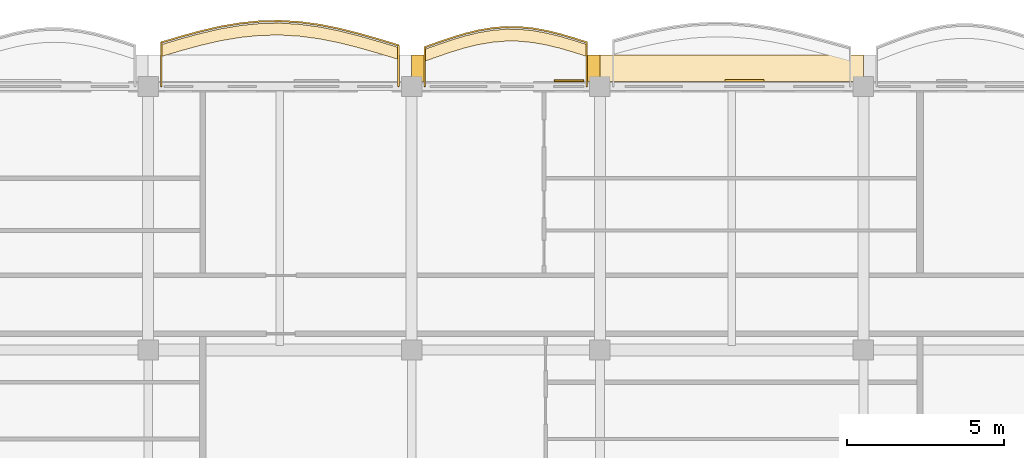
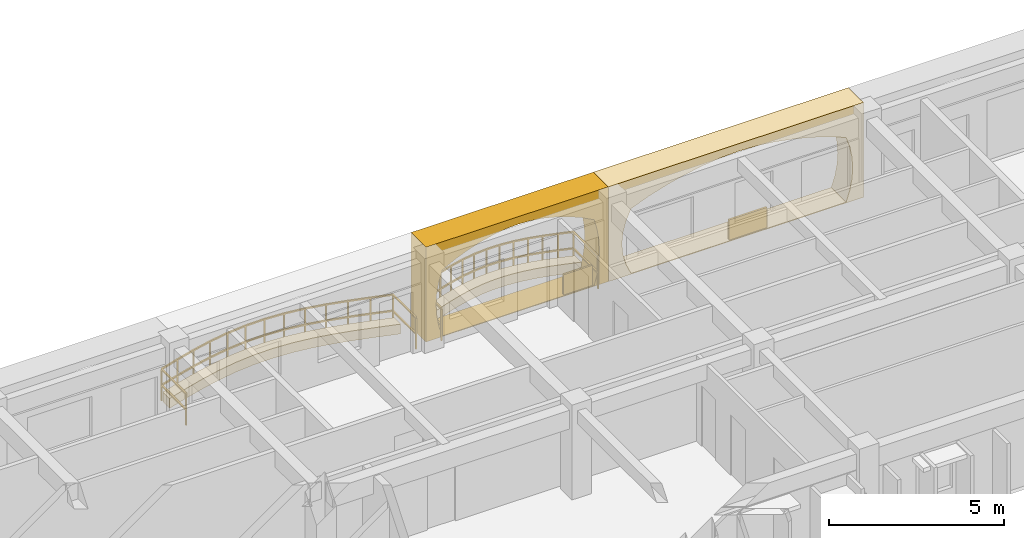
# One storey, part 57 of 70: 6 coverings, 2 railings.
"""IFC4 building model written with IfcOpenShell, lengths in metres."""

from ifc_helpers import new_model, si_unit, direction, frame, origin, origin_2d, place, context, subcontext, project, spatial, polyline, rectangle, outline, extrude, material, layer, layer_set, type_object, element, save


model = new_model("IFC4")

# Units and contexts
model_context = context("Model", 3, precision=1e-05, world=origin(), true_north=direction((0.0, 1.0)))
body_context = subcontext(model_context, "Body", "Model", "MODEL_VIEW")
ifc_project = project(units=[si_unit("LENGTHUNIT", "METRE"), si_unit("AREAUNIT", "SQUARE_METRE"), si_unit("VOLUMEUNIT", "CUBIC_METRE"), si_unit("PLANEANGLEUNIT", "RADIAN"), si_unit("MASSUNIT", "GRAM", prefix="KILO"), si_unit("THERMODYNAMICTEMPERATUREUNIT", "KELVIN")], contexts=[model_context])

# Site, building, storey
site_placement = place(None, origin())
site = spatial("IfcSite", under=ifc_project, at=site_placement, CompositionType="ELEMENT")
building_placement = place(site_placement, origin())
building = spatial("IfcBuilding", under=site, at=building_placement, Name="Thalorik Housing Commons", CompositionType="ELEMENT")
storey_placement = place(building_placement, frame((0.0, 0.0, 14.699951171875)))
storey = spatial("IfcBuildingStorey", under=building, at=storey_placement, Name="L04", CompositionType="ELEMENT", Elevation=14.699951171875)

# Coverings
ifc_material_1 = material(Name="Precast concrete C40/50", Category="concrete")
ifc_layer_1 = layer(ifc_material_1, 0.85009765625, Name="Precast concrete C40/50", Category="concrete")
ifc_layer_set_1 = layer_set([ifc_layer_1], Name="Precast concrete C40/50")
covering_type_1 = type_object("IfcCoveringType", Name="ARC-CLD-CUSH-850", PredefinedType="CLADDING", material=ifc_layer_set_1)
covering_1_placement = place(storey_placement, frame((119.39990234375, 124.177490234375, 0.0), z_axis=(0.0, 0.0, 1.0), x_axis=(-1.0, 0.0, 0.0)))
element("IfcCovering", 1, at=covering_1_placement, inside=storey, type_object=covering_type_1, Name="L04 White Precast Curved Cushion Bay Frame 2022", PredefinedType="CLADDING", context=body_context, shape_type="SweptSolid", body=[
    extrude(outline(polyline([(-4.199951171875, 0.0), (4.199951171875, 0.0), (4.199951171875, 3.300048828125), (-4.199951171875, 3.300048828125), (-4.199951171875, 0.0)]), holes=[polyline([(3.449951171875, 0.02490234375), (3.61669921875, 0.40087890625), (3.716796875, 0.776611328125), (3.75, 1.152587890625), (3.716796875, 1.5283203125), (3.61669921875, 1.904296875), (3.449951171875, 2.280029296875), (2.860107421875, 2.51123046875), (2.27001953125, 2.693115234375), (1.679931640625, 2.840087890625), (1.090087890625, 2.94970703125), (0.5, 3.01708984375), (-0.090087890625, 3.0400390625), (-0.679931640625, 3.01708984375), (-1.27001953125, 2.94970703125), (-1.860107421875, 2.840087890625), (-2.449951171875, 2.693115234375), (-3.0400390625, 2.51123046875), (-3.6298828125, 2.280029296875), (-3.750244140625, 1.904296875), (-3.822509765625, 1.5283203125), (-3.8466796875, 1.152587890625), (-3.822509765625, 0.776611328125), (-3.750244140625, 0.40087890625), (-3.6298828125, 0.02490234375), (3.449951171875, 0.02490234375)])]), frame((0.0, 0.425048828125, 0.0), z_axis=(0.0, -1.0, 0.0), x_axis=(1.0, 0.0, 0.0)), (0.0, 0.0, 1.0), 0.85009765625),
])
covering_2_placement = place(storey_placement, frame((112.199951171875, 124.177490234375, 0.0), z_axis=(0.0, 0.0, 1.0), x_axis=(-1.0, 0.0, 0.0)))
element("IfcCovering", 2, at=covering_2_placement, inside=storey, type_object=covering_type_1, Name="L04 White Precast Curved Cushion Bay Frame 2024", PredefinedType="CLADDING", context=body_context, shape_type="SweptSolid", body=[
    extrude(outline(polyline([(-3.0, 0.0), (3.0, 0.0), (3.0, 3.300048828125), (-3.0, 3.300048828125), (-3.0, 0.0)]), holes=[polyline([(2.463623046875, 0.02490234375), (2.576904296875, 0.407470703125), (2.644775390625, 0.7900390625), (2.66748046875, 1.172607421875), (2.644775390625, 1.554931640625), (2.576904296875, 1.9375), (2.463623046875, 2.320068359375), (2.046875, 2.539306640625), (1.63037109375, 2.711181640625), (1.213623046875, 2.8505859375), (0.796875, 2.954345703125), (0.38037109375, 3.018310546875), (-0.036376953125, 3.0400390625), (-0.453125, 3.018310546875), (-0.86962890625, 2.954345703125), (-1.286376953125, 2.8505859375), (-1.703125, 2.711181640625), (-2.11962890625, 2.539306640625), (-2.536376953125, 2.320068359375), (-2.63427734375, 1.9375), (-2.693115234375, 1.554931640625), (-2.712646484375, 1.172607421875), (-2.693115234375, 0.7900390625), (-2.63427734375, 0.407470703125), (-2.536376953125, 0.02490234375), (2.463623046875, 0.02490234375)])]), frame((0.0, 0.425048828125, 0.0), z_axis=(0.0, -1.0, 0.0), x_axis=(1.0, 0.0, 0.0)), (0.0, 0.0, 1.0), 0.85009765625),
])
ifc_material_2 = material(Name="Terracotta red mineral fibre-cement panel", Category="masonry")
ifc_layer_2 = layer(ifc_material_2, 0.054931640625, Name="Terracotta red mineral fibre-cement panel", Category="masonry")
ifc_layer_set_2 = layer_set([ifc_layer_2], Name="Terracotta red mineral fibre-cement panel")
covering_type_2 = type_object("IfcCoveringType", Name="ARC-CLD-RED-55", PredefinedType="CLADDING", material=ifc_layer_set_2)
covering_3_placement = place(storey_placement, frame((114.21142578125, 123.784912109375, 0.05029296875), z_axis=(0.0, 0.0, 1.0), x_axis=(-1.0, 0.0, 0.0)))
element("IfcCovering", 3, at=covering_3_placement, inside=storey, type_object=covering_type_2, Name="L04 De Stijl Recessed Window Spandrel 2025", PredefinedType="CLADDING", context=body_context, shape_type="SweptSolid", body=[
    extrude(rectangle(XDim=0.949951171875, YDim=0.054931640625, at=origin_2d()), origin(), (0.0, 0.0, 1.0), 0.699951171875),
])
ifc_material_3 = material(Name="Mineral ochre architectural terracotta panel", Category="masonry")
ifc_layer_3 = layer(ifc_material_3, 0.06494140625, Name="Mineral ochre architectural terracotta panel", Category="masonry")
ifc_layer_set_3 = layer_set([ifc_layer_3], Name="Mineral ochre architectural terracotta panel")
covering_type_3 = type_object("IfcCoveringType", Name="ARC-CLD-YEL-65", PredefinedType="CLADDING", material=ifc_layer_set_3)
covering_4_placement = place(storey_placement, frame((119.81005859375, 123.7900390625, 0.05029296875), z_axis=(0.0, 0.0, 1.0), x_axis=(-1.0, 0.0, 0.0)))
element("IfcCovering", 4, at=covering_4_placement, inside=storey, type_object=covering_type_3, Name="L04 De Stijl Recessed Window Spandrel 2023", PredefinedType="CLADDING", context=body_context, shape_type="SweptSolid", body=[
    extrude(rectangle(XDim=1.25, YDim=0.06494140625, at=origin_2d()), origin(), (0.0, 0.0, 1.0), 0.699951171875),
])
ifc_material_4 = material(Name="Planted vegetated substrate and terracotta trough", Category="masonry")
ifc_layer_4 = layer(ifc_material_4, 0.340087890625, Name="Planted vegetated substrate and terracotta trough", Category="masonry")
ifc_layer_set_4 = layer_set([ifc_layer_4], Name="Planted vegetated substrate and terracotta trough")
covering_type_4 = type_object("IfcCoveringType", Name="ARC-COV-PLANTER", PredefinedType="USERDEFINED", material=ifc_layer_set_4)
covering_5_placement = place(storey_placement, origin())
element("IfcCovering", 5, at=covering_5_placement, inside=storey, type_object=covering_type_4, Name="L04 Balcony Slab-Edge Planted Trough 5454", ObjectType="PLANTER", PredefinedType="USERDEFINED", context=body_context, shape_type="SweptSolid", body=[
    extrude(outline(polyline([(108.780029296875, 124.844970703125), (108.14990234375, 125.0341796875), (107.52001953125, 125.21435546875), (106.889892578125, 125.372802734375), (106.260009765625, 125.4990234375), (105.6298828125, 125.58349609375), (105.0, 125.620849609375), (104.3701171875, 125.6083984375), (103.739990234375, 125.54638671875), (103.110107421875, 125.439697265625), (102.47998046875, 125.29541015625), (101.85009765625, 125.12353515625), (101.219970703125, 124.935791015625), (101.219970703125, 124.555908203125), (101.85009765625, 124.743408203125), (102.47998046875, 124.91552734375), (103.110107421875, 125.059814453125), (103.739990234375, 125.16650390625), (104.3701171875, 125.228271484375), (105.0, 125.240966796875), (105.6298828125, 125.20361328125), (106.260009765625, 125.118896484375), (106.889892578125, 124.992919921875), (107.52001953125, 124.834228515625), (108.14990234375, 124.654296875), (108.780029296875, 124.465087890625), (108.780029296875, 124.844970703125)])), origin(), (0.0, 0.0, 1.0), 0.340087890625),
])
covering_6_placement = place(storey_placement, origin())
element("IfcCovering", 6, at=covering_6_placement, inside=storey, type_object=covering_type_4, Name="L04 Balcony Slab-Edge Planted Trough 5455", ObjectType="PLANTER", PredefinedType="USERDEFINED", context=body_context, shape_type="SweptSolid", body=[
    extrude(outline(polyline([(114.780029296875, 124.938720703125), (114.35009765625, 125.075439453125), (113.919921875, 125.20068359375), (113.489990234375, 125.305419921875), (113.06005859375, 125.381591796875), (112.6298828125, 125.423095703125), (112.199951171875, 125.427001953125), (111.77001953125, 125.391845703125), (111.340087890625, 125.31982421875), (110.909912109375, 125.2158203125), (110.47998046875, 125.086181640625), (110.050048828125, 124.939697265625), (109.6201171875, 124.786865234375), (109.6201171875, 124.40673828125), (110.050048828125, 124.559814453125), (110.47998046875, 124.7060546875), (110.909912109375, 124.835693359375), (111.340087890625, 124.93994140625), (111.77001953125, 125.01171875), (112.199951171875, 125.046875), (112.6298828125, 125.043212890625), (113.06005859375, 125.001708984375), (113.489990234375, 124.925537109375), (113.919921875, 124.82080078125), (114.35009765625, 124.695556640625), (114.780029296875, 124.55859375), (114.780029296875, 124.938720703125)])), origin(), (0.0, 0.0, 1.0), 0.340087890625),
])

# Railings
ifc_material_5 = material(Name="Steel S355", Category="steel")
railing_type_1 = type_object("IfcRailingType", Name="ARC-RL-BAL-112", PredefinedType="BALUSTRADE", material=ifc_material_5)
railing_1_placement = place(storey_placement, frame((108.780029296875, 123.60009765625, 0.0)))
element("IfcRailing", 7, at=railing_1_placement, inside=storey, type_object=railing_type_1, Name="L04 Cushion Balcony Guardrail 138", PredefinedType="BALUSTRADE", context=body_context, shape_type="SweptSolid", body=[
    extrude(rectangle(XDim=0.050048828125, YDim=0.050048828125, at=origin_2d()), frame((0.0, 0.0, 1.09521484375), z_axis=(0.0, 1.0, 0.0), x_axis=(-1.0, 0.0, 0.0)), (0.0, 0.0, 1.0), 1.31494140625),
    extrude(rectangle(XDim=0.050048828125, YDim=0.050048828125, at=origin_2d()), frame((0.0, 0.0, 0.53515625), z_axis=(0.0, 1.0, 0.0), x_axis=(-1.0, 0.0, 0.0)), (0.0, 0.0, 1.0), 1.31494140625),
    extrude(rectangle(XDim=0.050048828125, YDim=0.050048828125, at=origin_2d()), frame((0.0, 1.31494140625, 1.09521484375), z_axis=(-0.957754763301, 0.287586184254, 0.0), x_axis=(-0.287586184254, -0.957754763301, 0.0)), (0.0, 0.0, 1.0), 0.657958984375),
    extrude(rectangle(XDim=0.050048828125, YDim=0.050048828125, at=origin_2d()), frame((0.0, 1.31494140625, 0.53515625), z_axis=(-0.957754763301, 0.287586184254, 0.0), x_axis=(-0.287586184254, -0.957754763301, 0.0)), (0.0, 0.0, 1.0), 0.657958984375),
    extrude(rectangle(XDim=0.050048828125, YDim=0.050048828125, at=origin_2d()), frame((-0.630126953125, 1.504150390625, 1.09521484375), z_axis=(-0.961538010122, 0.274671904442, 0.0), x_axis=(-0.274671904442, -0.961538010122, 0.0)), (0.0, 0.0, 1.0), 0.655029296875),
    extrude(rectangle(XDim=0.050048828125, YDim=0.050048828125, at=origin_2d()), frame((-0.630126953125, 1.504150390625, 0.53515625), z_axis=(-0.961538010122, 0.274671904442, 0.0), x_axis=(-0.274671904442, -0.961538010122, 0.0)), (0.0, 0.0, 1.0), 0.655029296875),
    extrude(rectangle(XDim=0.050048828125, YDim=0.050048828125, at=origin_2d()), frame((-1.260009765625, 1.68408203125, 1.09521484375), z_axis=(-0.969721129013, 0.244214929817, 0.0), x_axis=(-0.244214929817, -0.969721129013, 0.0)), (0.0, 0.0, 1.0), 0.64990234375),
    extrude(rectangle(XDim=0.050048828125, YDim=0.050048828125, at=origin_2d()), frame((-1.260009765625, 1.68408203125, 0.53515625), z_axis=(-0.969721129013, 0.244214929817, 0.0), x_axis=(-0.244214929817, -0.969721129013, 0.0)), (0.0, 0.0, 1.0), 0.64990234375),
    extrude(rectangle(XDim=0.050048828125, YDim=0.050048828125, at=origin_2d()), frame((-1.89013671875, 1.8427734375, 1.09521484375), z_axis=(-0.980507522663, 0.196481546208, 0.0), x_axis=(-0.196481546208, -0.980507522663, 0.0)), (0.0, 0.0, 1.0), 0.642333984375),
    extrude(rectangle(XDim=0.050048828125, YDim=0.050048828125, at=origin_2d()), frame((-1.89013671875, 1.8427734375, 0.53515625), z_axis=(-0.980507522663, 0.196481546208, 0.0), x_axis=(-0.196481546208, -0.980507522663, 0.0)), (0.0, 0.0, 1.0), 0.642333984375),
    extrude(rectangle(XDim=0.050048828125, YDim=0.050048828125, at=origin_2d()), frame((-2.52001953125, 1.968994140625, 1.09521484375), z_axis=(-0.99113374372, 0.132867987341, 0.0), x_axis=(-0.132867987341, -0.99113374372, 0.0)), (0.0, 0.0, 1.0), 0.6357421875),
    extrude(rectangle(XDim=0.050048828125, YDim=0.050048828125, at=origin_2d()), frame((-2.52001953125, 1.968994140625, 0.53515625), z_axis=(-0.99113374372, 0.132867987341, 0.0), x_axis=(-0.132867987341, -0.99113374372, 0.0)), (0.0, 0.0, 1.0), 0.6357421875),
    extrude(rectangle(XDim=0.050048828125, YDim=0.050048828125, at=origin_2d()), frame((-3.150146484375, 2.053466796875, 1.09521484375), z_axis=(-0.998246241406, 0.059198323618, 0.0), x_axis=(-0.059198323618, -0.998246241406, 0.0)), (0.0, 0.0, 1.0), 0.631103515625),
    extrude(rectangle(XDim=0.050048828125, YDim=0.050048828125, at=origin_2d()), frame((-3.150146484375, 2.053466796875, 0.53515625), z_axis=(-0.998246241406, 0.059198323618, 0.0), x_axis=(-0.059198323618, -0.998246241406, 0.0)), (0.0, 0.0, 1.0), 0.631103515625),
    extrude(rectangle(XDim=0.050048828125, YDim=0.050048828125, at=origin_2d()), frame((-3.780029296875, 2.0908203125, 1.09521484375), z_axis=(-0.999796949068, -0.02015094626, 0.0), x_axis=(0.02015094626, -0.999796949068, 0.0)), (0.0, 0.0, 1.0), 0.630126953125),
    extrude(rectangle(XDim=0.050048828125, YDim=0.050048828125, at=origin_2d()), frame((-3.780029296875, 2.0908203125, 0.53515625), z_axis=(-0.999796949068, -0.02015094626, 0.0), x_axis=(0.02015094626, -0.999796949068, 0.0)), (0.0, 0.0, 1.0), 0.630126953125),
    extrude(rectangle(XDim=0.050048828125, YDim=0.050048828125, at=origin_2d()), frame((-4.409912109375, 2.078125, 1.09521484375), z_axis=(-0.995229993395, -0.097556446466, 0.0), x_axis=(0.097556446466, -0.995229993395, 0.0)), (0.0, 0.0, 1.0), 0.633056640625),
    extrude(rectangle(XDim=0.050048828125, YDim=0.050048828125, at=origin_2d()), frame((-4.409912109375, 2.078125, 0.53515625), z_axis=(-0.995229993395, -0.097556446466, 0.0), x_axis=(0.097556446466, -0.995229993395, 0.0)), (0.0, 0.0, 1.0), 0.633056640625),
    extrude(rectangle(XDim=0.050048828125, YDim=0.050048828125, at=origin_2d()), frame((-5.0400390625, 2.016357421875, 1.09521484375), z_axis=(-0.985956693723, -0.167001191921, 0.0), x_axis=(0.167001191921, -0.985956693723, 0.0)), (0.0, 0.0, 1.0), 0.638916015625),
    extrude(rectangle(XDim=0.050048828125, YDim=0.050048828125, at=origin_2d()), frame((-5.0400390625, 2.016357421875, 0.53515625), z_axis=(-0.985956693723, -0.167001191921, 0.0), x_axis=(0.167001191921, -0.985956693723, 0.0)), (0.0, 0.0, 1.0), 0.638916015625),
    extrude(rectangle(XDim=0.050048828125, YDim=0.050048828125, at=origin_2d()), frame((-5.669921875, 1.90966796875, 1.09521484375), z_axis=(-0.974771705856, -0.223204214708, 0.0), x_axis=(0.223204214708, -0.974771705856, 0.0)), (0.0, 0.0, 1.0), 0.646484375),
    extrude(rectangle(XDim=0.050048828125, YDim=0.050048828125, at=origin_2d()), frame((-5.669921875, 1.90966796875, 0.53515625), z_axis=(-0.974771705856, -0.223204214708, 0.0), x_axis=(0.223204214708, -0.974771705856, 0.0)), (0.0, 0.0, 1.0), 0.646484375),
    extrude(rectangle(XDim=0.050048828125, YDim=0.050048828125, at=origin_2d()), frame((-6.300048828125, 1.765380859375, 1.09521484375), z_axis=(-0.964729296683, -0.263243963126, 0.0), x_axis=(0.263243963126, -0.964729296683, 0.0)), (0.0, 0.0, 1.0), 0.65283203125),
    extrude(rectangle(XDim=0.050048828125, YDim=0.050048828125, at=origin_2d()), frame((-6.300048828125, 1.765380859375, 0.53515625), z_axis=(-0.964729296683, -0.263243963126, 0.0), x_axis=(0.263243963126, -0.964729296683, 0.0)), (0.0, 0.0, 1.0), 0.65283203125),
    extrude(rectangle(XDim=0.050048828125, YDim=0.050048828125, at=origin_2d()), frame((-6.929931640625, 1.593505859375, 1.09521484375), z_axis=(-0.958366227807, -0.285541894298, 0.0), x_axis=(0.285541894298, -0.958366227807, 0.0)), (0.0, 0.0, 1.0), 0.657470703125),
    extrude(rectangle(XDim=0.050048828125, YDim=0.050048828125, at=origin_2d()), frame((-6.929931640625, 1.593505859375, 0.53515625), z_axis=(-0.958366227807, -0.285541894298, 0.0), x_axis=(0.285541894298, -0.958366227807, 0.0)), (0.0, 0.0, 1.0), 0.657470703125),
    extrude(rectangle(XDim=0.050048828125, YDim=0.050048828125, at=origin_2d()), frame((-7.56005859375, 1.40576171875, 1.09521484375), z_axis=(0.0, -1.0, 0.0), x_axis=(1.0, 0.0, 0.0)), (0.0, 0.0, 1.0), 1.40576171875),
    extrude(rectangle(XDim=0.050048828125, YDim=0.050048828125, at=origin_2d()), frame((-7.56005859375, 1.40576171875, 0.53515625), z_axis=(0.0, -1.0, 0.0), x_axis=(1.0, 0.0, 0.0)), (0.0, 0.0, 1.0), 1.40576171875),
    extrude(rectangle(XDim=0.0419921875, YDim=0.0419921875, at=origin_2d()), origin(), (0.0, 0.0, 1.0), 1.070068359375),
    extrude(rectangle(XDim=0.0419921875, YDim=0.0419921875, at=origin_2d()), frame((0.0, 1.31494140625, 0.0)), (0.0, 0.0, 1.0), 1.070068359375),
    extrude(rectangle(XDim=0.0419921875, YDim=0.0419921875, at=origin_2d()), frame((-0.630126953125, 1.504150390625, 0.0)), (0.0, 0.0, 1.0), 1.070068359375),
    extrude(rectangle(XDim=0.0419921875, YDim=0.0419921875, at=origin_2d()), frame((-1.260009765625, 1.68408203125, 0.0)), (0.0, 0.0, 1.0), 1.070068359375),
    extrude(rectangle(XDim=0.0419921875, YDim=0.0419921875, at=origin_2d()), frame((-1.89013671875, 1.8427734375, 0.0)), (0.0, 0.0, 1.0), 1.070068359375),
    extrude(rectangle(XDim=0.0419921875, YDim=0.0419921875, at=origin_2d()), frame((-2.52001953125, 1.968994140625, 0.0)), (0.0, 0.0, 1.0), 1.070068359375),
    extrude(rectangle(XDim=0.0419921875, YDim=0.0419921875, at=origin_2d()), frame((-3.150146484375, 2.053466796875, 0.0)), (0.0, 0.0, 1.0), 1.070068359375),
    extrude(rectangle(XDim=0.0419921875, YDim=0.0419921875, at=origin_2d()), frame((-3.780029296875, 2.0908203125, 0.0)), (0.0, 0.0, 1.0), 1.070068359375),
    extrude(rectangle(XDim=0.0419921875, YDim=0.0419921875, at=origin_2d()), frame((-4.409912109375, 2.078125, 0.0)), (0.0, 0.0, 1.0), 1.070068359375),
    extrude(rectangle(XDim=0.0419921875, YDim=0.0419921875, at=origin_2d()), frame((-5.0400390625, 2.016357421875, 0.0)), (0.0, 0.0, 1.0), 1.070068359375),
    extrude(rectangle(XDim=0.0419921875, YDim=0.0419921875, at=origin_2d()), frame((-5.669921875, 1.90966796875, 0.0)), (0.0, 0.0, 1.0), 1.070068359375),
    extrude(rectangle(XDim=0.0419921875, YDim=0.0419921875, at=origin_2d()), frame((-6.300048828125, 1.765380859375, 0.0)), (0.0, 0.0, 1.0), 1.070068359375),
    extrude(rectangle(XDim=0.0419921875, YDim=0.0419921875, at=origin_2d()), frame((-6.929931640625, 1.593505859375, 0.0)), (0.0, 0.0, 1.0), 1.070068359375),
    extrude(rectangle(XDim=0.0419921875, YDim=0.0419921875, at=origin_2d()), frame((-7.56005859375, 1.40576171875, 0.0)), (0.0, 0.0, 1.0), 1.070068359375),
    extrude(rectangle(XDim=0.0419921875, YDim=0.0419921875, at=origin_2d()), frame((-7.56005859375, 0.0, 0.0)), (0.0, 0.0, 1.0), 1.070068359375),
])
railing_type_2 = type_object("IfcRailingType", Name="ARC-RL-BAL-115", PredefinedType="BALUSTRADE", material=ifc_material_5)
railing_2_placement = place(storey_placement, frame((114.780029296875, 123.60009765625, 0.0)))
element("IfcRailing", 8, at=railing_2_placement, inside=storey, type_object=railing_type_2, Name="L04 Cushion Balcony Guardrail 139", PredefinedType="BALUSTRADE", context=body_context, shape_type="SweptSolid", body=[
    extrude(rectangle(XDim=0.050048828125, YDim=0.050048828125, at=origin_2d()), frame((0.0, 0.0, 1.125), z_axis=(0.0, 1.0, 0.0), x_axis=(-1.0, 0.0, 0.0)), (0.0, 0.0, 1.0), 1.40869140625),
    extrude(rectangle(XDim=0.050048828125, YDim=0.050048828125, at=origin_2d()), frame((0.0, 0.0, 0.5498046875), z_axis=(0.0, 1.0, 0.0), x_axis=(-1.0, 0.0, 0.0)), (0.0, 0.0, 1.0), 1.40869140625),
    extrude(rectangle(XDim=0.050048828125, YDim=0.050048828125, at=origin_2d()), frame((0.0, 1.40869140625, 1.125), z_axis=(-0.952975516976, 0.30304729671, 0.0), x_axis=(-0.30304729671, -0.952975516976, 0.0)), (0.0, 0.0, 1.0), 0.451171875),
    extrude(rectangle(XDim=0.050048828125, YDim=0.050048828125, at=origin_2d()), frame((0.0, 1.40869140625, 0.5498046875), z_axis=(-0.952975516976, 0.30304729671, 0.0), x_axis=(-0.30304729671, -0.952975516976, 0.0)), (0.0, 0.0, 1.0), 0.451171875),
    extrude(rectangle(XDim=0.050048828125, YDim=0.050048828125, at=origin_2d()), frame((-0.429931640625, 1.54541015625, 1.125), z_axis=(-0.960134155835, 0.279539626528, 0.0), x_axis=(-0.279539626528, -0.960134155835, 0.0)), (0.0, 0.0, 1.0), 0.447998046875),
    extrude(rectangle(XDim=0.050048828125, YDim=0.050048828125, at=origin_2d()), frame((-0.429931640625, 1.54541015625, 0.5498046875), z_axis=(-0.960134155835, 0.279539626528, 0.0), x_axis=(-0.279539626528, -0.960134155835, 0.0)), (0.0, 0.0, 1.0), 0.447998046875),
    extrude(rectangle(XDim=0.050048828125, YDim=0.050048828125, at=origin_2d()), frame((-0.860107421875, 1.670654296875, 1.125), z_axis=(-0.971585356615, 0.236689448034, 0.0), x_axis=(-0.236689448034, -0.971585356615, 0.0)), (0.0, 0.0, 1.0), 0.442626953125),
    extrude(rectangle(XDim=0.050048828125, YDim=0.050048828125, at=origin_2d()), frame((-0.860107421875, 1.670654296875, 0.5498046875), z_axis=(-0.971585356615, 0.236689448034, 0.0), x_axis=(-0.236689448034, -0.971585356615, 0.0)), (0.0, 0.0, 1.0), 0.442626953125),
    extrude(rectangle(XDim=0.050048828125, YDim=0.050048828125, at=origin_2d()), frame((-1.2900390625, 1.775390625, 1.125), z_axis=(-0.984665121198, 0.174455149241, 0.0), x_axis=(-0.174455149241, -0.984665121198, 0.0)), (0.0, 0.0, 1.0), 0.4365234375),
    extrude(rectangle(XDim=0.050048828125, YDim=0.050048828125, at=origin_2d()), frame((-1.2900390625, 1.775390625, 0.5498046875), z_axis=(-0.984665121198, 0.174455149241, 0.0), x_axis=(-0.174455149241, -0.984665121198, 0.0)), (0.0, 0.0, 1.0), 0.4365234375),
    extrude(rectangle(XDim=0.050048828125, YDim=0.050048828125, at=origin_2d()), frame((-1.719970703125, 1.8515625, 1.125), z_axis=(-0.995377926131, 0.09603532772, 0.0), x_axis=(-0.09603532772, -0.995377926131, 0.0)), (0.0, 0.0, 1.0), 0.43212890625),
    extrude(rectangle(XDim=0.050048828125, YDim=0.050048828125, at=origin_2d()), frame((-1.719970703125, 1.8515625, 0.5498046875), z_axis=(-0.995377926131, 0.09603532772, 0.0), x_axis=(-0.09603532772, -0.995377926131, 0.0)), (0.0, 0.0, 1.0), 0.43212890625),
    extrude(rectangle(XDim=0.050048828125, YDim=0.050048828125, at=origin_2d()), frame((-2.150146484375, 1.89306640625, 1.125), z_axis=(-0.99996372477, 0.008517578576, 0.0), x_axis=(-0.008517578576, -0.99996372477, 0.0)), (0.0, 0.0, 1.0), 0.429931640625),
    extrude(rectangle(XDim=0.050048828125, YDim=0.050048828125, at=origin_2d()), frame((-2.150146484375, 1.89306640625, 0.5498046875), z_axis=(-0.99996372477, 0.008517578576, 0.0), x_axis=(-0.008517578576, -0.99996372477, 0.0)), (0.0, 0.0, 1.0), 0.429931640625),
    extrude(rectangle(XDim=0.050048828125, YDim=0.050048828125, at=origin_2d()), frame((-2.580078125, 1.896728515625, 1.125), z_axis=(-0.996719183002, -0.080937446433, 0.0), x_axis=(0.080937446433, -0.996719183002, 0.0)), (0.0, 0.0, 1.0), 0.431396484375),
    extrude(rectangle(XDim=0.050048828125, YDim=0.050048828125, at=origin_2d()), frame((-2.580078125, 1.896728515625, 0.5498046875), z_axis=(-0.996719183002, -0.080937446433, 0.0), x_axis=(0.080937446433, -0.996719183002, 0.0)), (0.0, 0.0, 1.0), 0.431396484375),
    extrude(rectangle(XDim=0.050048828125, YDim=0.050048828125, at=origin_2d()), frame((-3.010009765625, 1.86181640625, 1.125), z_axis=(-0.986257355507, -0.165216308844, 0.0), x_axis=(0.165216308844, -0.986257355507, 0.0)), (0.0, 0.0, 1.0), 0.43603515625),
    extrude(rectangle(XDim=0.050048828125, YDim=0.050048828125, at=origin_2d()), frame((-3.010009765625, 1.86181640625, 0.5498046875), z_axis=(-0.986257355507, -0.165216308844, 0.0), x_axis=(0.165216308844, -0.986257355507, 0.0)), (0.0, 0.0, 1.0), 0.43603515625),
    extrude(rectangle(XDim=0.050048828125, YDim=0.050048828125, at=origin_2d()), frame((-3.43994140625, 1.789794921875, 1.125), z_axis=(-0.971869237666, -0.235521092215, 0.0), x_axis=(0.235521092215, -0.971869237666, 0.0)), (0.0, 0.0, 1.0), 0.442626953125),
    extrude(rectangle(XDim=0.050048828125, YDim=0.050048828125, at=origin_2d()), frame((-3.43994140625, 1.789794921875, 0.5498046875), z_axis=(-0.971869237666, -0.235521092215, 0.0), x_axis=(0.235521092215, -0.971869237666, 0.0)), (0.0, 0.0, 1.0), 0.442626953125),
    extrude(rectangle(XDim=0.050048828125, YDim=0.050048828125, at=origin_2d()), frame((-3.8701171875, 1.685546875, 1.125), z_axis=(-0.957421319012, -0.28869433299, 0.0), x_axis=(0.28869433299, -0.957421319012, 0.0)), (0.0, 0.0, 1.0), 0.448974609375),
    extrude(rectangle(XDim=0.050048828125, YDim=0.050048828125, at=origin_2d()), frame((-3.8701171875, 1.685546875, 0.5498046875), z_axis=(-0.957421319012, -0.28869433299, 0.0), x_axis=(0.28869433299, -0.957421319012, 0.0)), (0.0, 0.0, 1.0), 0.448974609375),
    extrude(rectangle(XDim=0.050048828125, YDim=0.050048828125, at=origin_2d()), frame((-4.300048828125, 1.555908203125, 1.125), z_axis=(-0.94673013643, -0.322028024828, 0.0), x_axis=(0.322028024828, -0.94673013643, 0.0)), (0.0, 0.0, 1.0), 0.4541015625),
    extrude(rectangle(XDim=0.050048828125, YDim=0.050048828125, at=origin_2d()), frame((-4.300048828125, 1.555908203125, 0.5498046875), z_axis=(-0.94673013643, -0.322028024828, 0.0), x_axis=(0.322028024828, -0.94673013643, 0.0)), (0.0, 0.0, 1.0), 0.4541015625),
    extrude(rectangle(XDim=0.050048828125, YDim=0.050048828125, at=origin_2d()), frame((-4.72998046875, 1.40966796875, 1.125), z_axis=(-0.942068253885, -0.335421235199, 0.0), x_axis=(0.335421235199, -0.942068253885, 0.0)), (0.0, 0.0, 1.0), 0.456298828125),
    extrude(rectangle(XDim=0.050048828125, YDim=0.050048828125, at=origin_2d()), frame((-4.72998046875, 1.40966796875, 0.5498046875), z_axis=(-0.942068253885, -0.335421235199, 0.0), x_axis=(0.335421235199, -0.942068253885, 0.0)), (0.0, 0.0, 1.0), 0.456298828125),
    extrude(rectangle(XDim=0.050048828125, YDim=0.050048828125, at=origin_2d()), frame((-5.159912109375, 1.256591796875, 1.125), z_axis=(0.0, -1.0, 0.0), x_axis=(1.0, 0.0, 0.0)), (0.0, 0.0, 1.0), 1.256591796875),
    extrude(rectangle(XDim=0.050048828125, YDim=0.050048828125, at=origin_2d()), frame((-5.159912109375, 1.256591796875, 0.5498046875), z_axis=(0.0, -1.0, 0.0), x_axis=(1.0, 0.0, 0.0)), (0.0, 0.0, 1.0), 1.256591796875),
    extrude(rectangle(XDim=0.0419921875, YDim=0.0419921875, at=origin_2d()), origin(), (0.0, 0.0, 1.0), 1.099853515625),
    extrude(rectangle(XDim=0.0419921875, YDim=0.0419921875, at=origin_2d()), frame((0.0, 1.40869140625, 0.0)), (0.0, 0.0, 1.0), 1.099853515625),
    extrude(rectangle(XDim=0.0419921875, YDim=0.0419921875, at=origin_2d()), frame((-0.429931640625, 1.54541015625, 0.0)), (0.0, 0.0, 1.0), 1.099853515625),
    extrude(rectangle(XDim=0.0419921875, YDim=0.0419921875, at=origin_2d()), frame((-0.860107421875, 1.670654296875, 0.0)), (0.0, 0.0, 1.0), 1.099853515625),
    extrude(rectangle(XDim=0.0419921875, YDim=0.0419921875, at=origin_2d()), frame((-1.2900390625, 1.775390625, 0.0)), (0.0, 0.0, 1.0), 1.099853515625),
    extrude(rectangle(XDim=0.0419921875, YDim=0.0419921875, at=origin_2d()), frame((-1.719970703125, 1.8515625, 0.0)), (0.0, 0.0, 1.0), 1.099853515625),
    extrude(rectangle(XDim=0.0419921875, YDim=0.0419921875, at=origin_2d()), frame((-2.150146484375, 1.89306640625, 0.0)), (0.0, 0.0, 1.0), 1.099853515625),
    extrude(rectangle(XDim=0.0419921875, YDim=0.0419921875, at=origin_2d()), frame((-2.580078125, 1.896728515625, 0.0)), (0.0, 0.0, 1.0), 1.099853515625),
    extrude(rectangle(XDim=0.0419921875, YDim=0.0419921875, at=origin_2d()), frame((-3.010009765625, 1.86181640625, 0.0)), (0.0, 0.0, 1.0), 1.099853515625),
    extrude(rectangle(XDim=0.0419921875, YDim=0.0419921875, at=origin_2d()), frame((-3.43994140625, 1.789794921875, 0.0)), (0.0, 0.0, 1.0), 1.099853515625),
    extrude(rectangle(XDim=0.0419921875, YDim=0.0419921875, at=origin_2d()), frame((-3.8701171875, 1.685546875, 0.0)), (0.0, 0.0, 1.0), 1.099853515625),
    extrude(rectangle(XDim=0.0419921875, YDim=0.0419921875, at=origin_2d()), frame((-4.300048828125, 1.555908203125, 0.0)), (0.0, 0.0, 1.0), 1.099853515625),
    extrude(rectangle(XDim=0.0419921875, YDim=0.0419921875, at=origin_2d()), frame((-4.72998046875, 1.40966796875, 0.0)), (0.0, 0.0, 1.0), 1.099853515625),
    extrude(rectangle(XDim=0.0419921875, YDim=0.0419921875, at=origin_2d()), frame((-5.159912109375, 1.256591796875, 0.0)), (0.0, 0.0, 1.0), 1.099853515625),
    extrude(rectangle(XDim=0.0419921875, YDim=0.0419921875, at=origin_2d()), frame((-5.159912109375, 0.0, 0.0)), (0.0, 0.0, 1.0), 1.099853515625),
])

save(model, "model.ifc")
